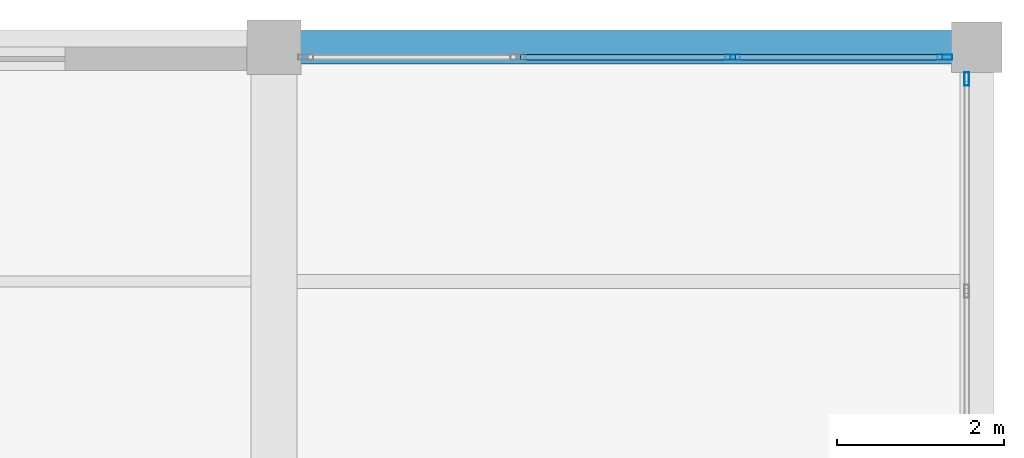
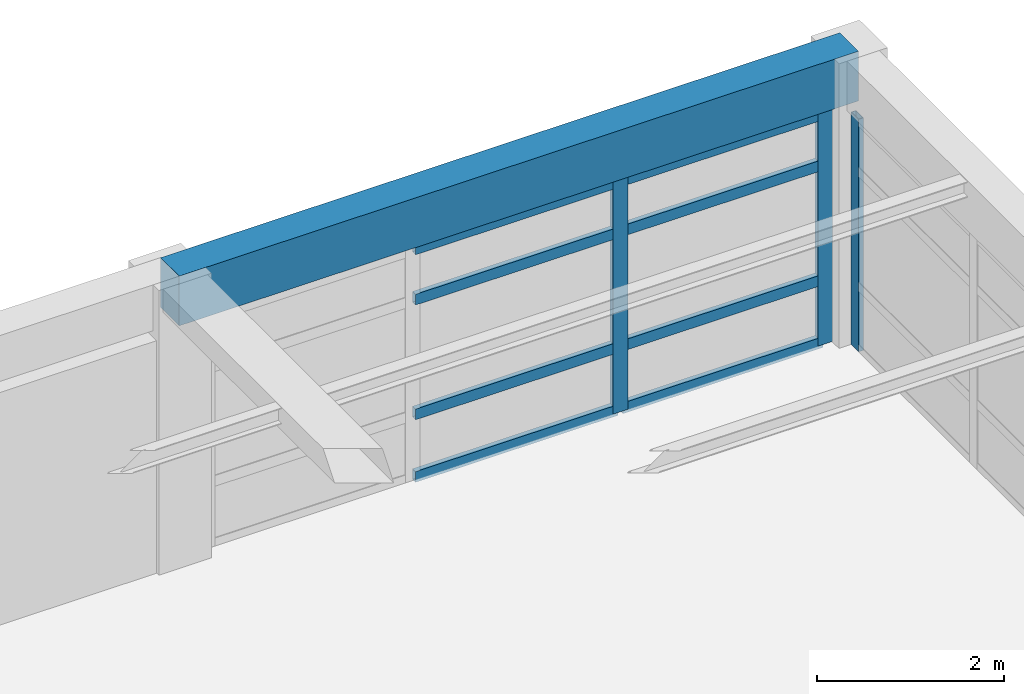
# One storey, part 21 of 26: 11 members, 1 beam, 2 elements without a shape of their own.
"""IFC4 building model written with IfcOpenShell, lengths in metres."""

from ifc_helpers import new_model, si_unit, direction, frame, origin, origin_2d, place, context, subcontext, project, spatial, rectangle, hollow_rectangle, extrude, material, material_profile, profile_set, type_object, element, aggregate, save


model = new_model("IFC4")

# Units and contexts
model_context = context("Model", 3, precision=1e-05, world=origin(), true_north=direction((0.0, 1.0)))
body_context = subcontext(model_context, "Body", "Model", "MODEL_VIEW")
ifc_project = project(units=[si_unit("LENGTHUNIT", "METRE"), si_unit("AREAUNIT", "SQUARE_METRE"), si_unit("VOLUMEUNIT", "CUBIC_METRE"), si_unit("PLANEANGLEUNIT", "RADIAN"), si_unit("MASSUNIT", "GRAM", prefix="KILO")], contexts=[model_context])

# Site, building, storey
site_placement = place(None, origin())
site = spatial("IfcSite", under=ifc_project, at=site_placement, CompositionType="ELEMENT")
building_placement = place(site_placement, origin())
building = spatial("IfcBuilding", under=site, at=building_placement, Name="Almacenes y Pasaje Nevantli", CompositionType="ELEMENT")
storey_placement = place(building_placement, frame((0.0, 0.0, 54.699951171875)))
storey = spatial("IfcBuildingStorey", under=building, at=storey_placement, Name="L13", CompositionType="ELEMENT", Elevation=54.699951171875)

# Beam
ifc_material_1 = material(Name="Concrete C35/45", Category="concrete")
ifc_material_profile_1 = material_profile(ifc_material_1, rectangle(XDim=0.39990234375, YDim=0.64990234375, at=origin_2d()), Name="RC-BM-400x650")
ifc_profile_set_1 = profile_set([ifc_material_profile_1], Name="Concrete C35/45")
beam_type = type_object("IfcBeamType", Name="BM-RC-400x650", PredefinedType="SPANDREL", material=ifc_profile_set_1)
beam_placement = place(storey_placement, frame((151.199951171875, 100.800048828125, 3.39501953125), z_axis=(1.0, 0.0, 0.0), x_axis=(0.0, 1.0, 0.0)))
element("IfcBeam", 1, at=beam_placement, inside=storey, type_object=beam_type, Name="L13 East-West Reinforced Concrete Beam #3962", PredefinedType="SPANDREL", context=body_context, shape_type="SweptSolid", body=[
    extrude(rectangle(XDim=0.39990234375, YDim=0.64990234375, at=origin_2d()), origin(), (0.0, 0.0, 1.0), 8.400146484375),
])

# Curtain wall, member
ifc_material_2 = material(Name="Thermally Broken Aluminium and Low-E Glass", Category="aluminium")
curtain_wall_type = type_object("IfcCurtainWallType", Name="CW-UNIT-TOWER", PredefinedType="USERDEFINED", material=ifc_material_2)
curtain_wall_1_placement = place(storey_placement, origin())
curtain_wall_1 = element("IfcCurtainWall", 2, at=curtain_wall_1_placement, inside=storey, type_object=curtain_wall_type, Name="L13 Tower East Curtain Wall Bay 12", ObjectType="UNITIZED CURTAIN WALL", PredefinedType="USERDEFINED")
ifc_material_3 = material(Name="Thermally Broken Anodized Aluminium", Category="aluminium")
ifc_material_profile_2 = material_profile(ifc_material_3, hollow_rectangle(XDim=0.06005859375, YDim=0.159912109375, WallThickness=0.00390625, at=origin_2d()), Name="ALU-MUL-60x160")
ifc_profile_set_2 = profile_set([ifc_material_profile_2], Name="Thermally Broken Anodized Aluminium")
member_type_1 = type_object("IfcMemberType", Name="CW-MUL-180", PredefinedType="MULLION", material=ifc_profile_set_2)
member_1_placement = place(storey_placement, frame((159.47998046875, 100.419921875, 0.0), z_axis=(0.0, 0.0, 1.0), x_axis=(-1.0, 0.0, 0.0)))
member_1 = element("IfcMember", 3, at=member_1_placement, type_object=member_type_1, Name="CW-L13-176 mullion 4", PredefinedType="MULLION", context=body_context, shape_type="SweptSolid", body=[
    extrude(hollow_rectangle(XDim=0.06005859375, YDim=0.159912109375, WallThickness=0.00390625, at=origin_2d()), origin(), (0.0, 0.0, 1.0), 3.0400390625),
])
aggregate(curtain_wall_1, [member_1])

# Curtain wall, members
curtain_wall_2_placement = place(storey_placement, origin())
curtain_wall_2 = element("IfcCurtainWall", 4, at=curtain_wall_2_placement, inside=storey, type_object=curtain_wall_type, Name="L13 Tower North Boulevard Unitized Curtain Wall Bay 19", ObjectType="UNITIZED CURTAIN WALL", PredefinedType="USERDEFINED")
ifc_material_4 = material(Name="Thermally Broken Anodized Aluminium", Category="aluminium")
ifc_material_profile_3 = material_profile(ifc_material_4, hollow_rectangle(XDim=0.06494140625, YDim=0.179931640625, WallThickness=0.00390625, at=origin_2d()), Name="ALU-MUL-65x180")
ifc_profile_set_3 = profile_set([ifc_material_profile_3], Name="Thermally Broken Anodized Aluminium")
member_type_2 = type_object("IfcMemberType", Name="CW-MUL-200", PredefinedType="MULLION", material=ifc_profile_set_3)
member_2_placement = place(storey_placement, frame((156.683349609375, 100.679931640625, 0.0), z_axis=(0.0, 0.0, 1.0), x_axis=(0.0, 1.0, 0.0)))
member_2 = element("IfcMember", 5, at=member_2_placement, type_object=member_type_2, Name="CW-L13-172 mullion 3", PredefinedType="MULLION", context=body_context, shape_type="SweptSolid", body=[
    extrude(hollow_rectangle(XDim=0.06494140625, YDim=0.179931640625, WallThickness=0.00390625, at=origin_2d()), origin(), (0.0, 0.0, 1.0), 3.0400390625),
])
member_3_placement = place(storey_placement, frame((159.217529296875, 100.679931640625, 0.0), z_axis=(0.0, 0.0, 1.0), x_axis=(0.0, 1.0, 0.0)))
member_3 = element("IfcMember", 6, at=member_3_placement, type_object=member_type_2, Name="CW-L13-172 mullion 4", PredefinedType="MULLION", context=body_context, shape_type="SweptSolid", body=[
    extrude(hollow_rectangle(XDim=0.06494140625, YDim=0.179931640625, WallThickness=0.00390625, at=origin_2d()), origin(), (0.0, 0.0, 1.0), 3.0400390625),
])
ifc_material_5 = material(Name="Thermally Broken Anodized Aluminium", Category="aluminium")
ifc_material_profile_4 = material_profile(ifc_material_5, hollow_rectangle(XDim=0.06494140625, YDim=0.139892578125, WallThickness=0.00390625, at=origin_2d()), Name="ALU-TRN-65x140")
ifc_profile_set_4 = profile_set([ifc_material_profile_4], Name="Thermally Broken Anodized Aluminium")
member_type_3 = type_object("IfcMemberType", Name="CW-TRN-150", PredefinedType="USERDEFINED", material=ifc_profile_set_4)
member_4_placement = place(storey_placement, frame((154.149169921875, 100.679931640625, 0.032470703125), z_axis=(1.0, 0.0, 0.0), x_axis=(0.0, 1.0, 0.0)))
member_4 = element("IfcMember", 7, at=member_4_placement, type_object=member_type_3, Name="CW-L13-172 transom 2.1", ObjectType="TRANSOM", PredefinedType="USERDEFINED", context=body_context, shape_type="SweptSolid", body=[
    extrude(hollow_rectangle(XDim=0.06494140625, YDim=0.139892578125, WallThickness=0.00390625, at=origin_2d()), origin(), (0.0, 0.0, 1.0), 2.501708984375),
])
member_5_placement = place(storey_placement, frame((154.149169921875, 100.679931640625, 0.85009765625), z_axis=(1.0, 0.0, 0.0), x_axis=(0.0, 1.0, 0.0)))
member_5 = element("IfcMember", 8, at=member_5_placement, type_object=member_type_3, Name="CW-L13-172 transom 2.2", ObjectType="TRANSOM", PredefinedType="USERDEFINED", context=body_context, shape_type="SweptSolid", body=[
    extrude(hollow_rectangle(XDim=0.06494140625, YDim=0.139892578125, WallThickness=0.00390625, at=origin_2d()), origin(), (0.0, 0.0, 1.0), 2.501708984375),
])
member_6_placement = place(storey_placement, frame((154.149169921875, 100.679931640625, 2.35009765625), z_axis=(1.0, 0.0, 0.0), x_axis=(0.0, 1.0, 0.0)))
member_6 = element("IfcMember", 9, at=member_6_placement, type_object=member_type_3, Name="CW-L13-172 transom 2.3", ObjectType="TRANSOM", PredefinedType="USERDEFINED", context=body_context, shape_type="SweptSolid", body=[
    extrude(hollow_rectangle(XDim=0.06494140625, YDim=0.139892578125, WallThickness=0.00390625, at=origin_2d()), origin(), (0.0, 0.0, 1.0), 2.501708984375),
])
member_7_placement = place(storey_placement, frame((154.149169921875, 100.679931640625, 3.007568359375), z_axis=(1.0, 0.0, 0.0), x_axis=(0.0, 1.0, 0.0)))
member_7 = element("IfcMember", 10, at=member_7_placement, type_object=member_type_3, Name="CW-L13-172 transom 2.4", ObjectType="TRANSOM", PredefinedType="USERDEFINED", context=body_context, shape_type="SweptSolid", body=[
    extrude(hollow_rectangle(XDim=0.06494140625, YDim=0.139892578125, WallThickness=0.00390625, at=origin_2d()), origin(), (0.0, 0.0, 1.0), 2.501708984375),
])
member_8_placement = place(storey_placement, frame((156.7158203125, 100.679931640625, 0.032470703125), z_axis=(1.0, 0.0, 0.0), x_axis=(0.0, 1.0, 0.0)))
member_8 = element("IfcMember", 11, at=member_8_placement, type_object=member_type_3, Name="CW-L13-172 transom 3.1", ObjectType="TRANSOM", PredefinedType="USERDEFINED", context=body_context, shape_type="SweptSolid", body=[
    extrude(hollow_rectangle(XDim=0.06494140625, YDim=0.139892578125, WallThickness=0.00390625, at=origin_2d()), origin(), (0.0, 0.0, 1.0), 2.46923828125),
])
member_9_placement = place(storey_placement, frame((156.7158203125, 100.679931640625, 0.85009765625), z_axis=(1.0, 0.0, 0.0), x_axis=(0.0, 1.0, 0.0)))
member_9 = element("IfcMember", 12, at=member_9_placement, type_object=member_type_3, Name="CW-L13-172 transom 3.2", ObjectType="TRANSOM", PredefinedType="USERDEFINED", context=body_context, shape_type="SweptSolid", body=[
    extrude(hollow_rectangle(XDim=0.06494140625, YDim=0.139892578125, WallThickness=0.00390625, at=origin_2d()), origin(), (0.0, 0.0, 1.0), 2.46923828125),
])
member_10_placement = place(storey_placement, frame((156.7158203125, 100.679931640625, 2.35009765625), z_axis=(1.0, 0.0, 0.0), x_axis=(0.0, 1.0, 0.0)))
member_10 = element("IfcMember", 13, at=member_10_placement, type_object=member_type_3, Name="CW-L13-172 transom 3.3", ObjectType="TRANSOM", PredefinedType="USERDEFINED", context=body_context, shape_type="SweptSolid", body=[
    extrude(hollow_rectangle(XDim=0.06494140625, YDim=0.139892578125, WallThickness=0.00390625, at=origin_2d()), origin(), (0.0, 0.0, 1.0), 2.46923828125),
])
member_11_placement = place(storey_placement, frame((156.7158203125, 100.679931640625, 3.007568359375), z_axis=(1.0, 0.0, 0.0), x_axis=(0.0, 1.0, 0.0)))
member_11 = element("IfcMember", 14, at=member_11_placement, type_object=member_type_3, Name="CW-L13-172 transom 3.4", ObjectType="TRANSOM", PredefinedType="USERDEFINED", context=body_context, shape_type="SweptSolid", body=[
    extrude(hollow_rectangle(XDim=0.06494140625, YDim=0.139892578125, WallThickness=0.00390625, at=origin_2d()), origin(), (0.0, 0.0, 1.0), 2.46923828125),
])
aggregate(curtain_wall_2, [member_2, member_3, member_4, member_5, member_6, member_7, member_8, member_9, member_10, member_11])

save(model, "model.ifc")
